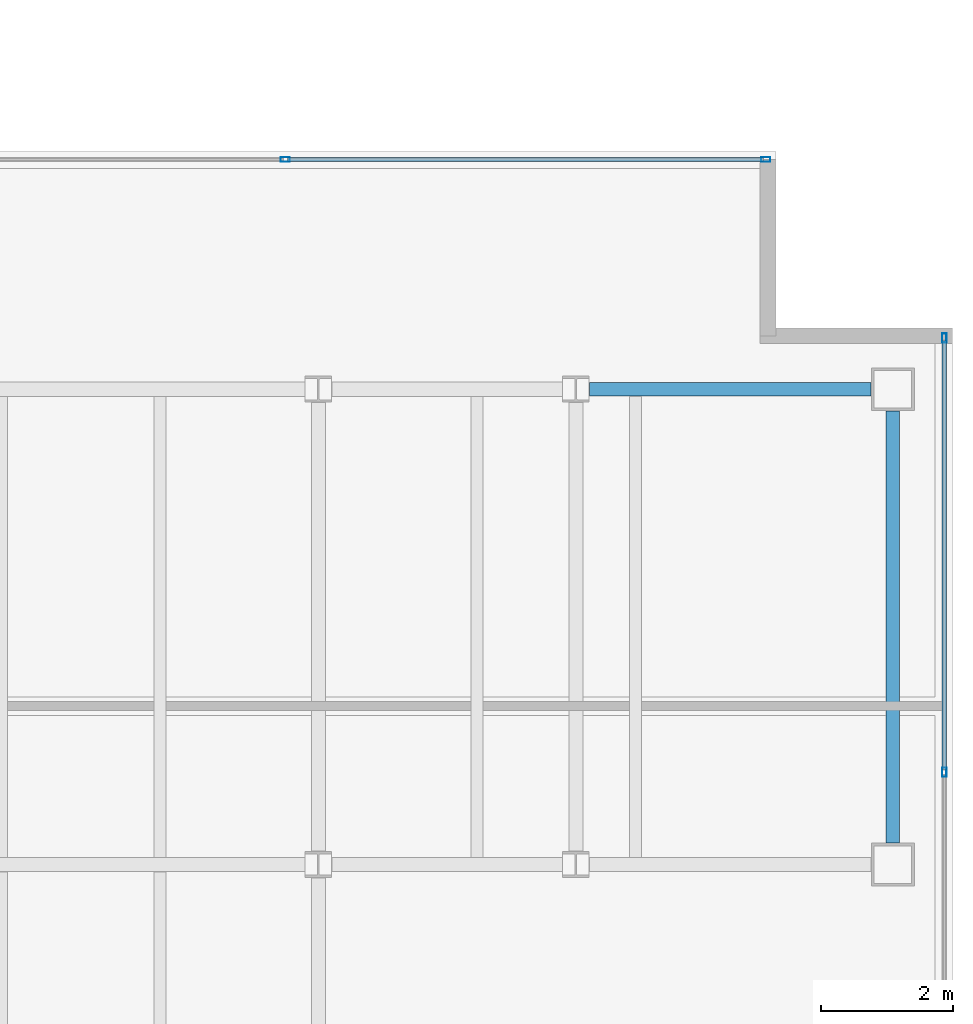
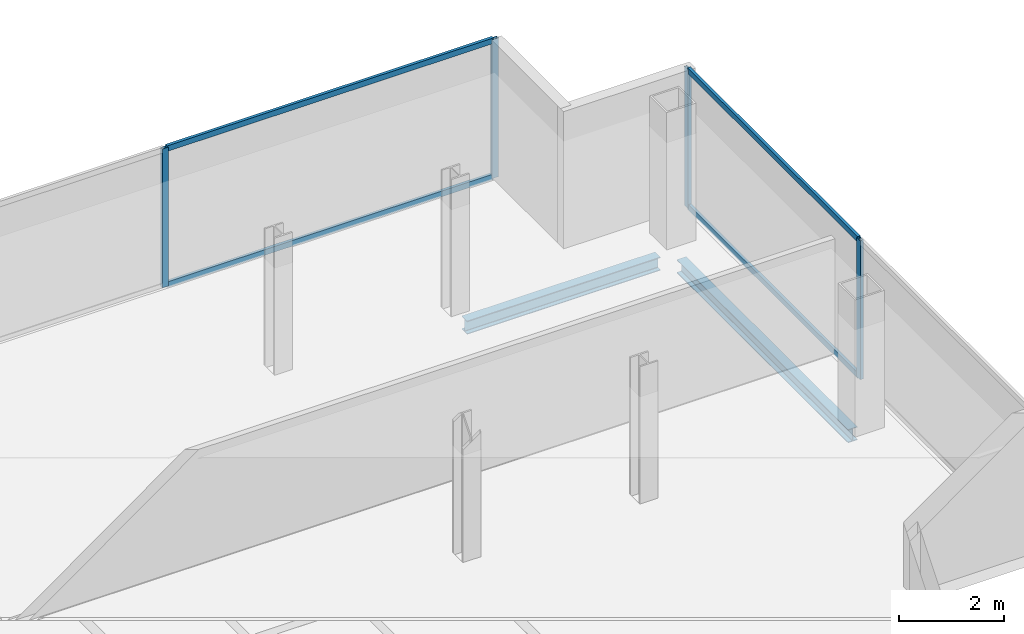
# One storey, part 16 of 23: 8 members, 2 beams, 2 elements without a shape of their own.
"""IFC4 building model written with IfcOpenShell, lengths in metres."""

from ifc_helpers import new_model, si_unit, direction, frame, origin, origin_2d, place, context, subcontext, project, spatial, hollow_rectangle, i_section, extrude, material, material_profile, profile_set, type_object, element, aggregate, save


model = new_model("IFC4")

# Units and contexts
model_context = context("Model", 3, precision=1e-05, world=origin(), true_north=direction((0.0, 1.0)))
body_context = subcontext(model_context, "Body", "Model", "MODEL_VIEW")
ifc_project = project(units=[si_unit("LENGTHUNIT", "METRE"), si_unit("AREAUNIT", "SQUARE_METRE"), si_unit("VOLUMEUNIT", "CUBIC_METRE"), si_unit("PLANEANGLEUNIT", "RADIAN"), si_unit("MASSUNIT", "GRAM", prefix="KILO")], contexts=[model_context])

# Site, building, storey
site_placement = place(None, origin())
site = spatial("IfcSite", under=ifc_project, at=site_placement, CompositionType="ELEMENT")
building_placement = place(site_placement, origin())
building = spatial("IfcBuilding", under=site, at=building_placement, Name="Cobrela Telecom Tower", CompositionType="ELEMENT")
storey_placement = place(building_placement, frame((0.0, 0.0, 279.64990234375)))
storey = spatial("IfcBuildingStorey", under=building, at=storey_placement, Name="L73", CompositionType="ELEMENT", Elevation=279.64990234375)

# Beams
ifc_material_1 = material(Name="Steel ASTM A992 Grade 50", Category="steel")
ifc_material_profile_1 = material_profile(ifc_material_1, i_section(OverallWidth=0.205078125, OverallDepth=0.31005859375, WebThickness=0.009521484375, FlangeThickness=0.016357421875, FilletRadius=0.010986328125, at=origin_2d()), Name="W12X50")
ifc_profile_set_1 = profile_set([ifc_material_profile_1], Name="Steel ASTM A992 Grade 50")
beam_type = type_object("IfcBeamType", Name="BM-SPAND-07", PredefinedType="SPANDREL", material=ifc_profile_set_1)
beam_1_placement = place(storey_placement, frame((40.1044921875, 21.60009765625, -0.414794921875), z_axis=(1.0, 0.0, 0.0), x_axis=(0.0, 1.0, 0.0)))
element("IfcBeam", 1, at=beam_1_placement, inside=storey, type_object=beam_type, Name="L73 Perimeter Spandrel X14", PredefinedType="SPANDREL", context=body_context, shape_type="SweptSolid", body=[
    extrude(i_section(OverallWidth=0.205078125, OverallDepth=0.31005859375, WebThickness=0.009521484375, FlangeThickness=0.016357421875, FilletRadius=0.010986328125, at=origin_2d()), origin(), (0.0, 0.0, 1.0), 4.265625),
])
beam_2_placement = place(storey_placement, frame((44.699951171875, 14.72998046875, -0.414794921875), z_axis=(0.0, 1.0, 0.0), x_axis=(-1.0, 0.0, 0.0)))
element("IfcBeam", 2, at=beam_2_placement, inside=storey, type_object=beam_type, Name="L73 Perimeter Spandrel Y34", PredefinedType="SPANDREL", context=body_context, shape_type="SweptSolid", body=[
    extrude(i_section(OverallWidth=0.205078125, OverallDepth=0.31005859375, WebThickness=0.009521484375, FlangeThickness=0.016357421875, FilletRadius=0.010986328125, at=origin_2d()), origin(), (0.0, 0.0, 1.0), 6.5400390625),
])

# Curtain wall, members
ifc_material_2 = material(Name="Anodized Bronze Aluminium 6063-T6", Category="aluminium")
curtain_wall_type = type_object("IfcCurtainWallType", Name="CW-SYS-OFF-HI", PredefinedType="USERDEFINED", material=ifc_material_2)
curtain_wall_1_placement = place(storey_placement, origin())
curtain_wall_1 = element("IfcCurtainWall", 3, at=curtain_wall_1_placement, inside=storey, type_object=curtain_wall_type, Name="L73 Unitised Bronze Curtain Wall 09", ObjectType="UNITISED CURTAIN WALL", PredefinedType="USERDEFINED")
ifc_material_profile_2 = material_profile(ifc_material_2, hollow_rectangle(XDim=0.070068359375, YDim=0.139892578125, WallThickness=0.00390625, at=origin_2d()), Name="ALU 70x140x4")
ifc_profile_set_2 = profile_set([ifc_material_profile_2], Name="Anodized Bronze Aluminium 6063-T6")
member_type_1 = type_object("IfcMemberType", Name="CW-SYS-OFF-HI-MUL", PredefinedType="MULLION", material=ifc_profile_set_2)
member_1_placement = place(storey_placement, frame((35.5, 25.080078125, 0.0), z_axis=(0.0, 0.0, 1.0), x_axis=(0.0, 1.0, 0.0)))
member_1 = element("IfcMember", 4, at=member_1_placement, type_object=member_type_1, Name="CW-OFF-HI mullion 3", PredefinedType="MULLION", context=body_context, shape_type="SweptSolid", body=[
    extrude(hollow_rectangle(XDim=0.070068359375, YDim=0.139892578125, WallThickness=0.00390625, at=origin_2d()), origin(), (0.0, 0.0, 1.0), 3.239990234375),
])
member_2_placement = place(storey_placement, frame((42.77490234375, 25.080078125, 0.0), z_axis=(0.0, 0.0, 1.0), x_axis=(0.0, 1.0, 0.0)))
member_2 = element("IfcMember", 5, at=member_2_placement, type_object=member_type_1, Name="CW-OFF-HI mullion 4", PredefinedType="MULLION", context=body_context, shape_type="SweptSolid", body=[
    extrude(hollow_rectangle(XDim=0.070068359375, YDim=0.139892578125, WallThickness=0.00390625, at=origin_2d()), origin(), (0.0, 0.0, 1.0), 3.239990234375),
])

curtain_wall_2_placement = place(storey_placement, origin())
curtain_wall_2 = element("IfcCurtainWall", 6, at=curtain_wall_2_placement, inside=storey, type_object=curtain_wall_type, Name="L73 Unitised Bronze Curtain Wall 12", ObjectType="UNITISED CURTAIN WALL", PredefinedType="USERDEFINED")
member_3_placement = place(storey_placement, frame((45.47998046875, 22.375, 0.0), z_axis=(0.0, 0.0, 1.0), x_axis=(1.0, 0.0, 0.0)))
member_3 = element("IfcMember", 7, at=member_3_placement, type_object=member_type_1, Name="CW-OFF-HI mullion 1", PredefinedType="MULLION", context=body_context, shape_type="SweptSolid", body=[
    extrude(hollow_rectangle(XDim=0.070068359375, YDim=0.139892578125, WallThickness=0.00390625, at=origin_2d()), origin(), (0.0, 0.0, 1.0), 3.239990234375),
])
member_4_placement = place(storey_placement, frame((45.47998046875, 15.800048828125, 0.0), z_axis=(0.0, 0.0, 1.0), x_axis=(1.0, 0.0, 0.0)))
member_4 = element("IfcMember", 8, at=member_4_placement, type_object=member_type_1, Name="CW-OFF-HI mullion 2", PredefinedType="MULLION", context=body_context, shape_type="SweptSolid", body=[
    extrude(hollow_rectangle(XDim=0.070068359375, YDim=0.139892578125, WallThickness=0.00390625, at=origin_2d()), origin(), (0.0, 0.0, 1.0), 3.239990234375),
])

# Member
ifc_material_profile_3 = material_profile(ifc_material_2, hollow_rectangle(XDim=0.06494140625, YDim=0.1298828125, WallThickness=0.00390625, at=origin_2d()), Name="ALU 65x130x4")
ifc_profile_set_3 = profile_set([ifc_material_profile_3], Name="Anodized Bronze Aluminium 6063-T6")
member_type_2 = type_object("IfcMemberType", Name="CW-SYS-OFF-HI-TRN", PredefinedType="USERDEFINED", material=ifc_profile_set_3)
member_5_placement = place(storey_placement, frame((35.534912109375, 25.080078125, 0.03271484375), z_axis=(1.0, 0.0, 0.0), x_axis=(0.0, 1.0, 0.0)))
member_5 = element("IfcMember", 9, at=member_5_placement, type_object=member_type_2, Name="CW-OFF-HI transom 3.1", ObjectType="TRANSOM", PredefinedType="USERDEFINED", context=body_context, shape_type="SweptSolid", body=[
    extrude(hollow_rectangle(XDim=0.06494140625, YDim=0.1298828125, WallThickness=0.00390625, at=origin_2d()), origin(), (0.0, 0.0, 1.0), 7.205078125),
])

member_6_placement = place(storey_placement, frame((35.534912109375, 25.080078125, 3.20751953125), z_axis=(1.0, 0.0, 0.0), x_axis=(0.0, 1.0, 0.0)))
member_6 = element("IfcMember", 10, at=member_6_placement, type_object=member_type_2, Name="CW-OFF-HI transom 3.2", ObjectType="TRANSOM", PredefinedType="USERDEFINED", context=body_context, shape_type="SweptSolid", body=[
    extrude(hollow_rectangle(XDim=0.06494140625, YDim=0.1298828125, WallThickness=0.00390625, at=origin_2d()), origin(), (0.0, 0.0, 1.0), 7.205078125),
])

aggregate(curtain_wall_1, [member_1, member_2, member_5, member_6])

member_7_placement = place(storey_placement, frame((45.47998046875, 22.340087890625, 0.03271484375), z_axis=(0.0, -1.0, 0.0), x_axis=(1.0, 0.0, 0.0)))
member_7 = element("IfcMember", 11, at=member_7_placement, type_object=member_type_2, Name="CW-OFF-HI transom 1.1", ObjectType="TRANSOM", PredefinedType="USERDEFINED", context=body_context, shape_type="SweptSolid", body=[
    extrude(hollow_rectangle(XDim=0.06494140625, YDim=0.1298828125, WallThickness=0.00390625, at=origin_2d()), origin(), (0.0, 0.0, 1.0), 6.505126953125),
])

member_8_placement = place(storey_placement, frame((45.47998046875, 22.340087890625, 3.20751953125), z_axis=(0.0, -1.0, 0.0), x_axis=(1.0, 0.0, 0.0)))
member_8 = element("IfcMember", 12, at=member_8_placement, type_object=member_type_2, Name="CW-OFF-HI transom 1.2", ObjectType="TRANSOM", PredefinedType="USERDEFINED", context=body_context, shape_type="SweptSolid", body=[
    extrude(hollow_rectangle(XDim=0.06494140625, YDim=0.1298828125, WallThickness=0.00390625, at=origin_2d()), origin(), (0.0, 0.0, 1.0), 6.505126953125),
])

aggregate(curtain_wall_2, [member_3, member_4, member_7, member_8])

save(model, "model.ifc")
